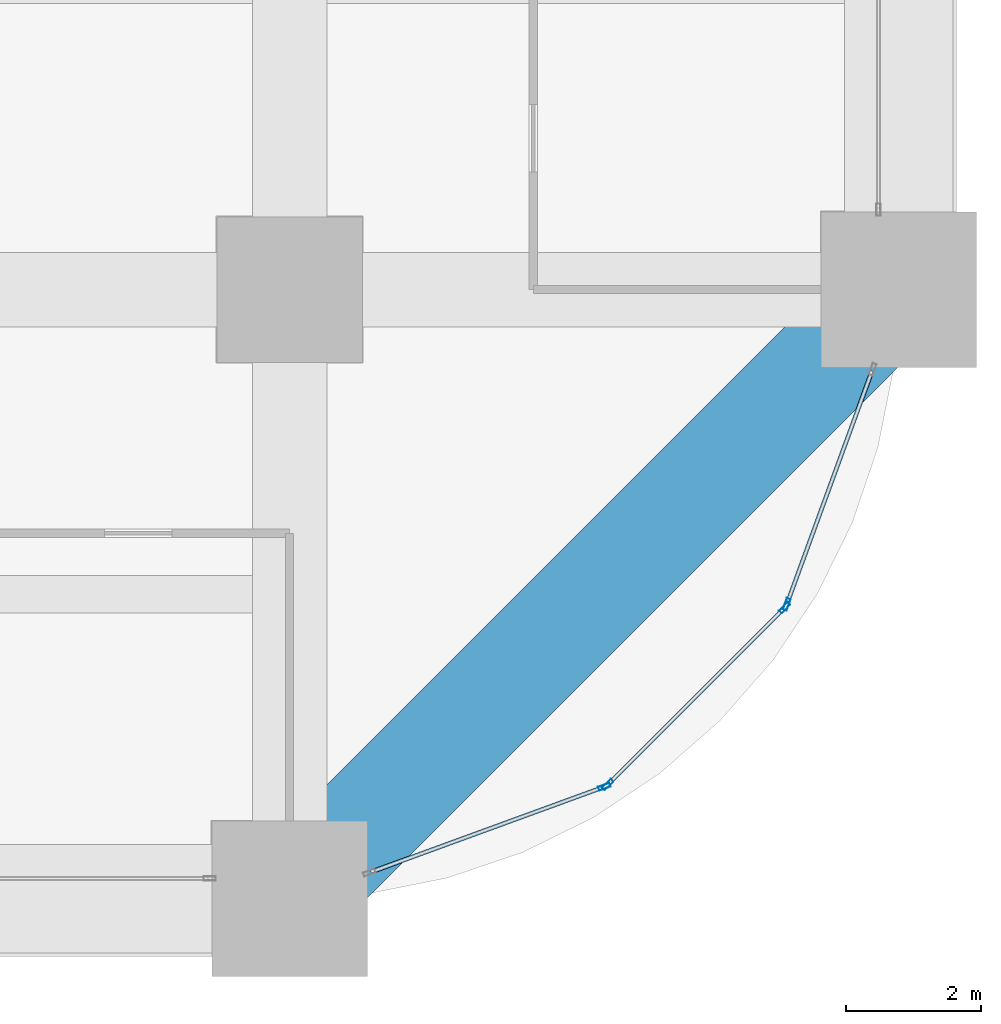
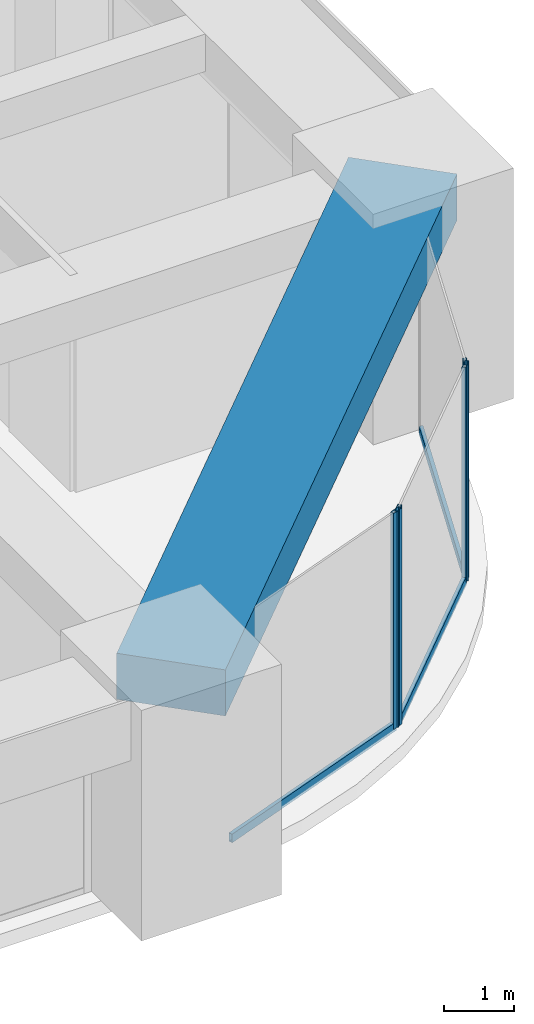
# One storey, part 16 of 45: 7 members, 1 beam, 3 elements without a shape of their own.
"""IFC4 building model written with IfcOpenShell, lengths in metres."""

from ifc_helpers import new_model, si_unit, direction, frame, origin, origin_2d, place, context, subcontext, project, spatial, rectangle, hollow_rectangle, extrude, material, material_profile, profile_set, type_object, element, aggregate, save


model = new_model("IFC4")

# Units and contexts
model_context = context("Model", 3, precision=1e-05, world=origin(), true_north=direction((0.0, 1.0)))
body_context = subcontext(model_context, "Body", "Model", "MODEL_VIEW")
ifc_project = project(units=[si_unit("LENGTHUNIT", "METRE"), si_unit("AREAUNIT", "SQUARE_METRE"), si_unit("VOLUMEUNIT", "CUBIC_METRE"), si_unit("PLANEANGLEUNIT", "RADIAN"), si_unit("MASSUNIT", "GRAM", prefix="KILO")], contexts=[model_context])

# Site, building, storey
site_placement = place(None, origin())
site = spatial("IfcSite", under=ifc_project, at=site_placement, CompositionType="ELEMENT")
building_placement = place(site_placement, origin())
building = spatial("IfcBuilding", under=site, at=building_placement, Name="Zorevar Civic Tower", CompositionType="ELEMENT")
storey_placement = place(building_placement, frame((0.0, 0.0, 71.800048828125)))
storey = spatial("IfcBuildingStorey", under=building, at=storey_placement, Name="L17", CompositionType="ELEMENT", Elevation=71.800048828125)

# Curtain wall, member
ifc_material_1 = material(Name="Dark grey solar-control glass in black aluminium frame", Category="aluminium")
curtain_wall_type = type_object("IfcCurtainWallType", Name="Curtain wall CW2 low zone", PredefinedType="NOTDEFINED", material=ifc_material_1)
curtain_wall_1_placement = place(storey_placement, origin())
curtain_wall_1 = element("IfcCurtainWall", 1, at=curtain_wall_1_placement, inside=storey, type_object=curtain_wall_type, Name="CW2 L17", PredefinedType="NOTDEFINED")
ifc_material_2 = material(Name="Aluminium, black anodised", Category="aluminium")
ifc_material_profile_1 = material_profile(ifc_material_2, hollow_rectangle(XDim=0.06005859375, YDim=0.179931640625, WallThickness=0.00390625, at=origin_2d()), Name="AL 180x60x4")
ifc_profile_set_1 = profile_set([ifc_material_profile_1], Name="Aluminium, black anodised")
member_type_1 = type_object("IfcMemberType", Name="CW2 mullion AL 180x60x4", PredefinedType="MULLION", material=ifc_profile_set_1)
member_1_placement = place(storey_placement, frame((58.650390625, 1.65478515625, 0.0), z_axis=(0.0, 0.0, 1.0), x_axis=(-0.343060400701, 0.939313345732, 0.0)))
member_1 = element("IfcMember", 2, at=member_1_placement, type_object=member_type_1, Name="CW2 mullion 2", PredefinedType="MULLION", context=body_context, shape_type="SweptSolid", body=[
    extrude(hollow_rectangle(XDim=0.06005859375, YDim=0.179931640625, WallThickness=0.00390625, at=origin_2d()), origin(), (0.0, 0.0, 1.0), 3.75),
])

# Curtain wall, members
curtain_wall_2_placement = place(storey_placement, origin())
curtain_wall_2 = element("IfcCurtainWall", 3, at=curtain_wall_2_placement, inside=storey, type_object=curtain_wall_type, Name="CW2 L17", PredefinedType="NOTDEFINED")
member_2_placement = place(storey_placement, frame((58.69970703125, 1.686279296875, 0.0), z_axis=(0.0, 0.0, 1.0), x_axis=(-0.707106781187, 0.707106781187, 0.0)))
member_2 = element("IfcMember", 4, at=member_2_placement, type_object=member_type_1, Name="CW2 mullion 1", PredefinedType="MULLION", context=body_context, shape_type="SweptSolid", body=[
    extrude(hollow_rectangle(XDim=0.06005859375, YDim=0.179931640625, WallThickness=0.00390625, at=origin_2d()), origin(), (0.0, 0.0, 1.0), 3.75),
])
member_3_placement = place(storey_placement, frame((61.313720703125, 4.30029296875, 0.0), z_axis=(0.0, 0.0, 1.0), x_axis=(-0.707106781187, 0.707106781187, 0.0)))
member_3 = element("IfcMember", 5, at=member_3_placement, type_object=member_type_1, Name="CW2 mullion 2", PredefinedType="MULLION", context=body_context, shape_type="SweptSolid", body=[
    extrude(hollow_rectangle(XDim=0.06005859375, YDim=0.179931640625, WallThickness=0.00390625, at=origin_2d()), origin(), (0.0, 0.0, 1.0), 3.75),
])

# Curtain wall, member
curtain_wall_3_placement = place(storey_placement, origin())
curtain_wall_3 = element("IfcCurtainWall", 6, at=curtain_wall_3_placement, inside=storey, type_object=curtain_wall_type, Name="CW2 L17", PredefinedType="NOTDEFINED")
member_4_placement = place(storey_placement, frame((61.34521484375, 4.349609375, 0.0), z_axis=(0.0, 0.0, 1.0), x_axis=(-0.939313345732, 0.343060400701, 0.0)))
member_4 = element("IfcMember", 7, at=member_4_placement, type_object=member_type_1, Name="CW2 mullion 1", PredefinedType="MULLION", context=body_context, shape_type="SweptSolid", body=[
    extrude(hollow_rectangle(XDim=0.06005859375, YDim=0.179931640625, WallThickness=0.00390625, at=origin_2d()), origin(), (0.0, 0.0, 1.0), 3.75),
])

# Member
ifc_material_3 = material(Name="Aluminium, black anodised", Category="aluminium")
ifc_material_profile_2 = material_profile(ifc_material_3, hollow_rectangle(XDim=0.06005859375, YDim=0.14990234375, WallThickness=0.00390625, at=origin_2d()), Name="AL 150x60x4")
ifc_profile_set_2 = profile_set([ifc_material_profile_2], Name="Aluminium, black anodised")
member_type_2 = type_object("IfcMemberType", Name="CW2 transom AL 150x60x4", PredefinedType="USERDEFINED", material=ifc_profile_set_2)
member_5_placement = place(storey_placement, frame((55.206298828125, 0.39697265625, 0.030029296875), z_axis=(0.939318180432, 0.343047162808, 0.0), x_axis=(-0.343047162808, 0.939318180432, 0.0)))
member_5 = element("IfcMember", 8, at=member_5_placement, type_object=member_type_2, Name="CW2 sill transom", ObjectType="TRANSOM", PredefinedType="USERDEFINED", context=body_context, shape_type="SweptSolid", body=[
    extrude(hollow_rectangle(XDim=0.06005859375, YDim=0.14990234375, WallThickness=0.00390625, at=origin_2d()), origin(), (0.0, 0.0, 1.0), 3.63671875),
])

aggregate(curtain_wall_1, [member_1, member_5])

member_6_placement = place(storey_placement, frame((58.720947265625, 1.70751953125, 0.030029296875), z_axis=(0.707106781187, 0.707106781187, 0.0), x_axis=(-0.707106781187, 0.707106781187, 0.0)))
member_6 = element("IfcMember", 9, at=member_6_placement, type_object=member_type_2, Name="CW2 sill transom", ObjectType="TRANSOM", PredefinedType="USERDEFINED", context=body_context, shape_type="SweptSolid", body=[
    extrude(hollow_rectangle(XDim=0.06005859375, YDim=0.14990234375, WallThickness=0.00390625, at=origin_2d()), origin(), (0.0, 0.0, 1.0), 3.63671875),
])

aggregate(curtain_wall_2, [member_2, member_3, member_6])

member_7_placement = place(storey_placement, frame((61.35546875, 4.377685546875, 0.030029296875), z_axis=(0.343047162808, 0.939318180432, 0.0), x_axis=(-0.939318180432, 0.343047162808, 0.0)))
member_7 = element("IfcMember", 10, at=member_7_placement, type_object=member_type_2, Name="CW2 sill transom", ObjectType="TRANSOM", PredefinedType="USERDEFINED", context=body_context, shape_type="SweptSolid", body=[
    extrude(hollow_rectangle(XDim=0.06005859375, YDim=0.14990234375, WallThickness=0.00390625, at=origin_2d()), origin(), (0.0, 0.0, 1.0), 3.63671875),
])

aggregate(curtain_wall_3, [member_4, member_7])

# Beam
ifc_material_4 = material(Name="Concrete C50/60", Category="concrete")
ifc_material_profile_3 = material_profile(ifc_material_4, rectangle(XDim=1.60009765625, YDim=0.800048828125, at=origin_2d()), Name="RC 1600x800")
ifc_profile_set_3 = profile_set([ifc_material_profile_3], Name="Concrete C50/60")
beam_type = type_object("IfcBeamType", Name="Edge beam RC 1600x800", PredefinedType="SPANDREL", material=ifc_profile_set_3)
beam_placement = place(storey_placement, frame((54.0, 0.0, 3.349853515625), z_axis=(0.707106781187, 0.707106781187, 0.0), x_axis=(-0.707106781187, 0.707106781187, 0.0)))
element("IfcBeam", 11, at=beam_placement, inside=storey, type_object=beam_type, Name="Corner edge beam L18", PredefinedType="SPANDREL", context=body_context, shape_type="SweptSolid", body=[
    extrude(rectangle(XDim=1.60009765625, YDim=0.800048828125, at=origin_2d()), origin(), (0.0, 0.0, 1.0), 12.72802734375),
])

save(model, "model.ifc")
